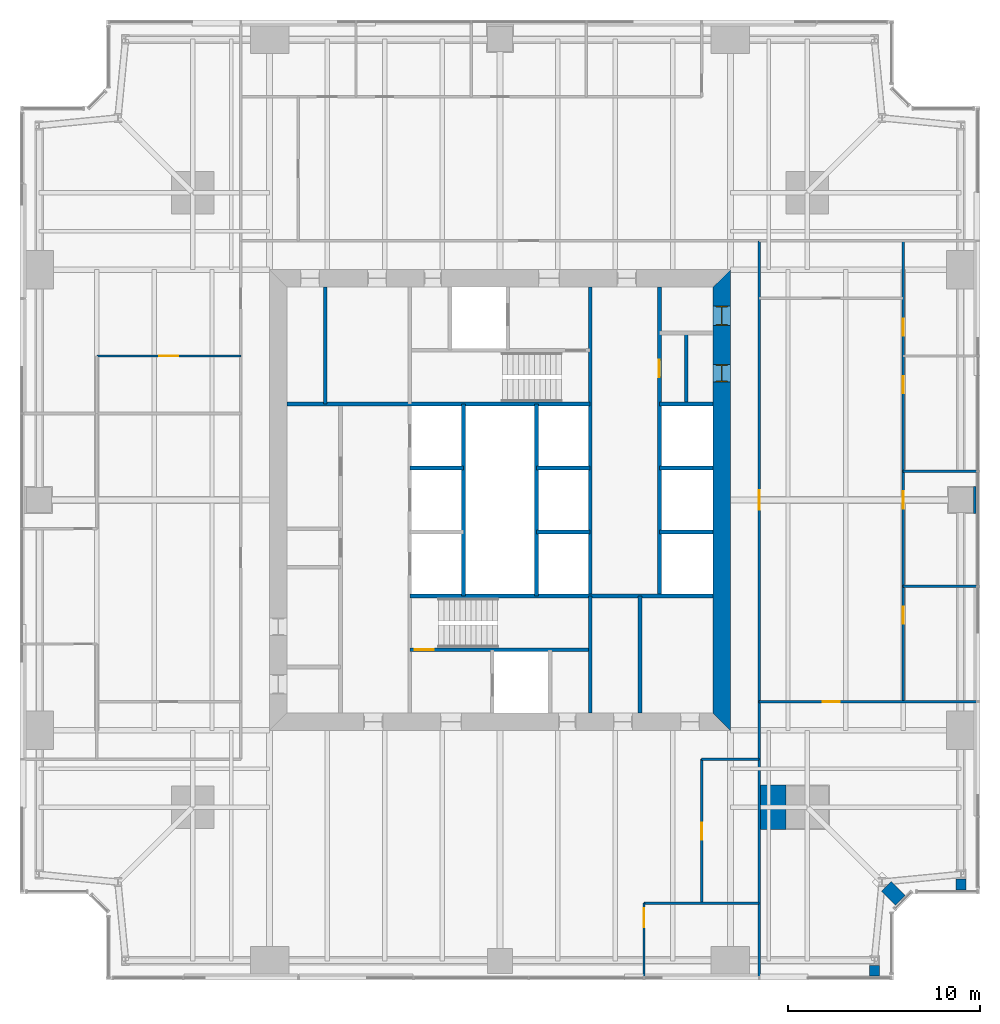
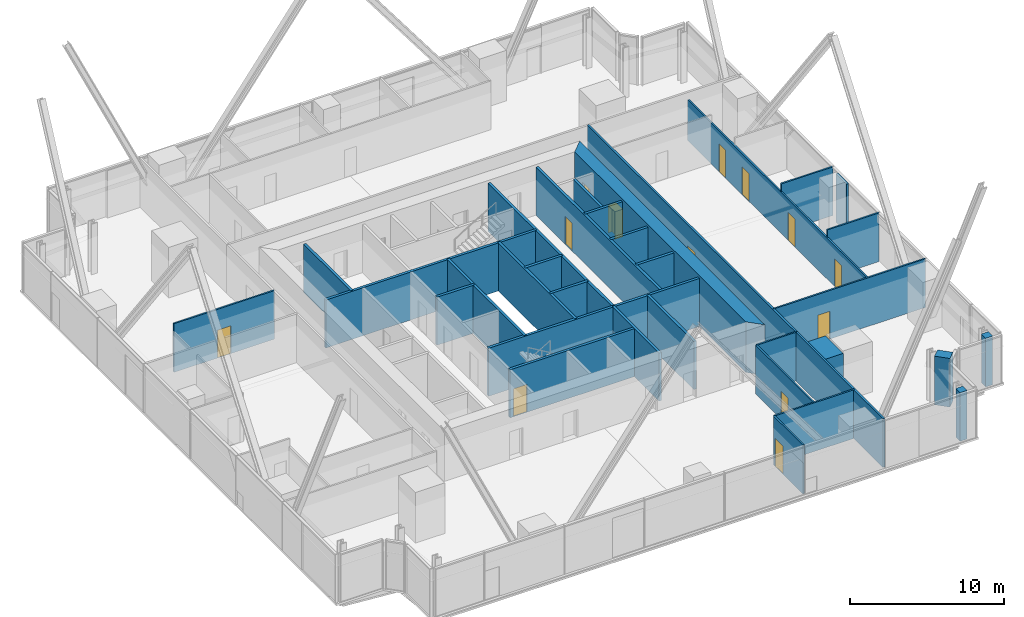
# One storey, part 10 of 14: 34 walls, 13 doors, 13 openings.
"""IFC4 building model written with IfcOpenShell, lengths in metres."""

from ifc_helpers import new_model, si_unit, direction, frame, frame_2d, origin, place, context, subcontext, project, spatial, polyline, rectangle, outline, extrude, material, layer, layer_set, type_object, element, fill, save


model = new_model("IFC4")

# Units and contexts
model_context = context("Model", 3, precision=1e-05, world=origin(), true_north=direction((0.0, 1.0)))
body_context = subcontext(model_context, "Body", "Model", "MODEL_VIEW")
ifc_project = project(units=[si_unit("LENGTHUNIT", "METRE"), si_unit("AREAUNIT", "SQUARE_METRE"), si_unit("VOLUMEUNIT", "CUBIC_METRE"), si_unit("PLANEANGLEUNIT", "RADIAN"), si_unit("MASSUNIT", "GRAM", prefix="KILO")], contexts=[model_context])

# Site, building, storey
site_placement = place(None, origin())
site = spatial("IfcSite", under=ifc_project, at=site_placement, CompositionType="ELEMENT")
building_placement = place(site_placement, origin())
building = spatial("IfcBuilding", under=site, at=building_placement, Name="Fenwick Lantern Interchange", CompositionType="ELEMENT")
storey_placement = place(building_placement, frame((0.0, 0.0, 130.39990234375)))
storey = spatial("IfcBuildingStorey", under=building, at=storey_placement, Name="L30", CompositionType="ELEMENT", Elevation=130.39990234375)

# Walls
ifc_material_1 = material(Name="Fire-rated gypsum board encasement on steel studs, 2 hour", Category="steel")
ifc_layer_1 = layer(ifc_material_1, 1.39990234375)
ifc_layer_set_1 = layer_set([ifc_layer_1], Name="COLUMN PIER 1400")
wall_type_1 = type_object("IfcWallType", Name="COLUMN PIER 1400", PredefinedType="PARTITIONING", material=ifc_layer_set_1)
wall_1_placement = place(storey_placement, frame((49.800048828125, 25.0, 0.0), z_axis=(0.0, 0.0, 1.0), x_axis=(-1.0, 0.0, 0.0)))
element("IfcWall", 1, at=wall_1_placement, inside=storey, type_object=wall_type_1, Name="L30/W/PIER/CE3", PredefinedType="PARTITIONING", context=body_context, shape_type="SweptSolid", body=[
    extrude(rectangle(XDim=0.150146484375, YDim=1.39990234375, at=frame_2d((0.0751953125, 0.0))), origin(), (0.0, 0.0, 1.0), 3.85009765625),
])
ifc_layer_2 = layer(ifc_material_1, 2.300048828125)
ifc_layer_set_2 = layer_set([ifc_layer_2], Name="COLUMN PIER 2300")
wall_type_2 = type_object("IfcWallType", Name="COLUMN PIER 2300", PredefinedType="PARTITIONING", material=ifc_layer_set_2)
wall_2_placement = place(storey_placement, frame((38.574951171875, 9.0, 0.0), z_axis=(0.0, 0.0, 1.0), x_axis=(1.0, 0.0, 0.0)))
element("IfcWall", 2, at=wall_2_placement, inside=storey, type_object=wall_type_2, Name="L30/W/PIER/M2", PredefinedType="PARTITIONING", context=body_context, shape_type="SweptSolid", body=[
    extrude(rectangle(XDim=1.324951171875, YDim=2.300048828125, at=frame_2d((0.66259765625, 0.0))), origin(), (0.0, 0.0, 1.0), 3.85009765625),
])
ifc_layer_3 = layer(ifc_material_1, 0.52392578125)
ifc_layer_set_3 = layer_set([ifc_layer_3], Name="COLUMN PIER 524")
wall_type_3 = type_object("IfcWallType", Name="COLUMN PIER 524", PredefinedType="PARTITIONING", material=ifc_layer_set_3)
for number, where, z_axis, x_axis, name in (
    (3, (44.5, 0.199951171875, 0.0), (0.0, 0.0, 1.0), (0.0, 1.0, 0.0), "L30/W/PIER/CS5"),
    (4, (49.0, 4.699951171875, 0.0), (0.0, 0.0, 1.0), (0.0, 1.0, 0.0), "L30/W/PIER/CE1"),
):
    element("IfcWall", number, at=place(storey_placement, frame(where, z_axis=z_axis, x_axis=x_axis)), inside=storey, type_object=wall_type_3, Name=name, PredefinedType="PARTITIONING", context=body_context, shape_type="SweptSolid", body=[
        extrude(rectangle(XDim=0.5625, YDim=0.52392578125, at=frame_2d((0.28125, 0.0))), origin(), (0.0, 0.0, 1.0), 3.85009765625),
    ])
ifc_layer_4 = layer(ifc_material_1, 0.736083984375)
ifc_layer_set_4 = layer_set([ifc_layer_4], Name="COLUMN PIER 736")
wall_type_4 = type_object("IfcWallType", Name="COLUMN PIER 736", PredefinedType="PARTITIONING", material=ifc_layer_set_4)
wall_3_placement = place(storey_placement, frame((45.858642578125, 4.141357421875, 0.0), z_axis=(0.0, 0.0, 1.0), x_axis=(-0.707106781187, 0.707106781187, 0.0)))
element("IfcWall", 5, at=wall_3_placement, inside=storey, type_object=wall_type_4, Name="L30/W/PIER/CSR", PredefinedType="PARTITIONING", context=body_context, shape_type="SweptSolid", body=[
    extrude(rectangle(XDim=1.037841796875, YDim=0.736083984375, at=frame_2d((0.51904296875, 0.0))), origin(), (0.0, 0.0, 1.0), 3.85009765625),
])
ifc_material_2 = material(Name="Concrete masonry ASTM C90 Grade N", Category="masonry")
ifc_layer_5 = layer(ifc_material_2, 0.199951171875)
ifc_layer_set_5 = layer_set([ifc_layer_5], Name="Concrete masonry ASTM C90 Grade N")
wall_type_5 = type_object("IfcWallType", Name="CORE PARTITION 200", PredefinedType="PARTITIONING", material=ifc_layer_set_5)
wall_4_placement = place(storey_placement, frame((20.300048828125, 26.666748046875, 0.0), z_axis=(0.0, 0.0, 1.0), x_axis=(1.0, 0.0, 0.0)))
element("IfcWall", 6, at=wall_4_placement, inside=storey, type_object=wall_type_5, Name="L30/W/CORES/e2", PredefinedType="PARTITIONING", context=body_context, shape_type="SweptSolid", body=[
    extrude(rectangle(XDim=2.800048828125, YDim=0.199951171875, at=frame_2d((1.39990234375, 0.0))), origin(), (0.0, 0.0, 1.0), 3.800048828125),
])
wall_5_placement = place(storey_placement, frame((23.10009765625, 20.0, 0.0), z_axis=(0.0, 0.0, 1.0), x_axis=(0.0, 1.0, 0.0)))
element("IfcWall", 7, at=wall_5_placement, inside=storey, type_object=wall_type_5, Name="L30/W/CORES/e3", PredefinedType="PARTITIONING", context=body_context, shape_type="SweptSolid", body=[
    extrude(rectangle(XDim=10.0, YDim=0.199951171875, at=frame_2d((5.0, 0.0))), origin(), (0.0, 0.0, 1.0), 3.800048828125),
])
wall_6_placement = place(storey_placement, frame((32.300048828125, 13.89990234375, 0.0), z_axis=(0.0, 0.0, 1.0), x_axis=(0.0, 1.0, 0.0)))
element("IfcWall", 8, at=wall_6_placement, inside=storey, type_object=wall_type_5, Name="L30/W/CORES/i2", PredefinedType="PARTITIONING", context=body_context, shape_type="SweptSolid", body=[
    extrude(rectangle(XDim=6.10009765625, YDim=0.199951171875, at=frame_2d((3.050048828125, 0.0))), origin(), (0.0, 0.0, 1.0), 3.800048828125),
])

# Wall, opening, door
wall_7_placement = place(storey_placement, frame((33.300048828125, 36.10009765625, 0.0), z_axis=(0.0, 0.0, 1.0), x_axis=(0.0, -1.0, 0.0)))
wall_7 = element("IfcWall", 9, at=wall_7_placement, inside=storey, type_object=wall_type_5, Name="L30/W/COREN/a", PredefinedType="PARTITIONING", context=body_context, shape_type="SweptSolid", body=[
    extrude(rectangle(XDim=16.10009765625, YDim=0.199951171875, at=frame_2d((8.050048828125, 0.0))), origin(), (0.0, 0.0, 1.0), 3.800048828125),
])
opening_1_placement = place(wall_7_placement, frame((3.800048828125, 0.0, 0.0)))
opening_1 = element("IfcOpeningElement", 10, at=opening_1_placement, cuts=wall_7, Name="Opening L30-D018", PredefinedType="OPENING", context=body_context, shape_type="SweptSolid", body=[
    extrude(rectangle(XDim=0.89990234375, YDim=2.199951171875, at=frame_2d((0.449951171875, 1.10009765625))), frame((0.0, 0.10986328125, 0.0), z_axis=(0.0, -1.0, 0.0), x_axis=(1.0, 0.0, 0.0)), (0.0, 0.0, 1.0), 0.219970703125),
])
ifc_material_3 = material(Name="Steel door and frame", Category="steel")
door_type_1 = type_object("IfcDoorType", Name="SERVICE DOOR 900 X 2200", OperationType="SINGLE_SWING_LEFT", PredefinedType="DOOR", material=ifc_material_3)
door_1_placement = place(opening_1_placement, origin())
door_1 = element("IfcDoor", 11, at=door_1_placement, inside=storey, type_object=door_type_1, Name="Service door", OperationType="SINGLE_SWING_LEFT", OverallHeight=2.199951171875, OverallWidth=0.89990234375, PredefinedType="DOOR", context=body_context, shape_type="SweptSolid", body=[
    extrude(rectangle(XDim=0.89990234375, YDim=2.199951171875, at=frame_2d((0.449951171875, 1.10009765625))), frame((0.0, 0.02490234375, 0.0), z_axis=(0.0, -1.0, 0.0), x_axis=(1.0, 0.0, 0.0)), (0.0, 0.0, 1.0), 0.050048828125),
])
fill(opening_1, door_1)

# Walls
for number, where, z_axis, x_axis, name in (
    (12, (36.10009765625, 30.0, 0.0), (0.0, 0.0, 1.0), (-1.0, 0.0, 0.0), "L30/W/COREN/c2"),
    (13, (36.10009765625, 26.666748046875, 0.0), (0.0, 0.0, 1.0), (-1.0, 0.0, 0.0), "L30/W/COREN/d1"),
    (14, (36.10009765625, 23.333251953125, 0.0), (0.0, 0.0, 1.0), (-1.0, 0.0, 0.0), "L30/W/COREN/d2"),
    (15, (29.699951171875, 26.666748046875, 0.0), (0.0, 0.0, 1.0), (-1.0, 0.0, 0.0), "L30/W/COREN/e1"),
    (16, (29.699951171875, 23.333251953125, 0.0), (0.0, 0.0, 1.0), (-1.0, 0.0, 0.0), "L30/W/COREN/e2"),
):
    element("IfcWall", number, at=place(storey_placement, frame(where, z_axis=z_axis, x_axis=x_axis)), inside=storey, type_object=wall_type_5, Name=name, PredefinedType="PARTITIONING", context=body_context, shape_type="SweptSolid", body=[
        extrude(rectangle(XDim=2.800048828125, YDim=0.199951171875, at=frame_2d((1.39990234375, 0.0))), origin(), (0.0, 0.0, 1.0), 3.800048828125),
    ])
wall_8_placement = place(storey_placement, frame((26.89990234375, 30.0, 0.0), z_axis=(0.0, 0.0, 1.0), x_axis=(0.0, -1.0, 0.0)))
element("IfcWall", 17, at=wall_8_placement, inside=storey, type_object=wall_type_5, Name="L30/W/COREN/e3", PredefinedType="PARTITIONING", context=body_context, shape_type="SweptSolid", body=[
    extrude(rectangle(XDim=10.0, YDim=0.199951171875, at=frame_2d((5.0, 0.0))), origin(), (0.0, 0.0, 1.0), 3.800048828125),
])
wall_9_placement = place(storey_placement, frame((15.89990234375, 36.10009765625, 0.0), z_axis=(0.0, 0.0, 1.0), x_axis=(0.0, -1.0, 0.0)))
element("IfcWall", 18, at=wall_9_placement, inside=storey, type_object=wall_type_5, Name="L30/W/COREN/i2", PredefinedType="PARTITIONING", context=body_context, shape_type="SweptSolid", body=[
    extrude(rectangle(XDim=6.10009765625, YDim=0.199951171875, at=frame_2d((3.050048828125, 0.0))), origin(), (0.0, 0.0, 1.0), 3.800048828125),
])
wall_10_placement = place(storey_placement, frame((34.699951171875, 33.699951171875, 0.0), z_axis=(0.0, 0.0, 1.0), x_axis=(0.0, -1.0, 0.0)))
element("IfcWall", 19, at=wall_10_placement, inside=storey, type_object=wall_type_5, Name="L30/W/COREN/px", PredefinedType="PARTITIONING", context=body_context, shape_type="SweptSolid", body=[
    extrude(rectangle(XDim=3.699951171875, YDim=0.199951171875, at=frame_2d((1.85009765625, 0.0))), origin(), (0.0, 0.0, 1.0), 3.800048828125),
])

# Wall, openings, doors
ifc_material_4 = material(Name="Concrete f'c 70 MPa", Category="concrete")
ifc_layer_6 = layer(ifc_material_4, 0.89990234375)
ifc_layer_set_6 = layer_set([ifc_layer_6], Name="CORE WALL 900")
wall_type_6 = type_object("IfcWallType", Name="CORE WALL 900", PredefinedType="SHEAR", material=ifc_layer_set_6)
wall_11_placement = place(storey_placement, frame((36.550048828125, 13.89990234375, 0.0), z_axis=(0.0, 0.0, 1.0), x_axis=(0.0, 1.0, 0.0)))
wall_11 = element("IfcWall", 20, at=wall_11_placement, inside=storey, type_object=wall_type_6, Name="L30/CORE/E", PredefinedType="SHEAR", context=body_context, shape_type="SweptSolid", body=[
    extrude(outline(polyline([(-0.89990234375, -0.449951171875), (23.10009765625, -0.449951171875), (22.199951171875, 0.449951171875), (0.0, 0.449951171875), (-0.89990234375, -0.449951171875)])), origin(), (0.0, 0.0, 1.0), 4.0),
])
opening_2_placement = place(wall_11_placement, frame((20.199951171875, 0.0, 0.0)))
opening_2 = element("IfcOpeningElement", 21, at=opening_2_placement, cuts=wall_11, Name="Opening L30-D017", PredefinedType="OPENING", context=body_context, shape_type="SweptSolid", body=[
    extrude(rectangle(XDim=1.0, YDim=2.199951171875, at=frame_2d((0.5, 1.10009765625))), frame((0.0, 0.4599609375, 0.0), z_axis=(0.0, -1.0, 0.0), x_axis=(1.0, 0.0, 0.0)), (0.0, 0.0, 1.0), 0.919921875),
])
opening_3_placement = place(wall_11_placement, frame((17.25, 0.0, 0.0)))
opening_3 = element("IfcOpeningElement", 22, at=opening_3_placement, cuts=wall_11, Name="Opening L30-D019", PredefinedType="OPENING", context=body_context, shape_type="SweptSolid", body=[
    extrude(rectangle(XDim=0.89990234375, YDim=2.199951171875, at=frame_2d((0.449951171875, 1.10009765625))), frame((0.0, 0.4599609375, 0.0), z_axis=(0.0, -1.0, 0.0), x_axis=(1.0, 0.0, 0.0)), (0.0, 0.0, 1.0), 0.919921875),
])
door_type_2 = type_object("IfcDoorType", Name="SERVICE DOOR 1000 X 2200", OperationType="SINGLE_SWING_LEFT", PredefinedType="DOOR", material=ifc_material_3)
door_2_placement = place(opening_2_placement, origin())
door_2 = element("IfcDoor", 23, at=door_2_placement, inside=storey, type_object=door_type_2, Name="Service door", OperationType="SINGLE_SWING_LEFT", OverallHeight=2.199951171875, OverallWidth=1.0, PredefinedType="DOOR", context=body_context, shape_type="SweptSolid", body=[
    extrude(rectangle(XDim=1.0, YDim=2.199951171875, at=frame_2d((0.5, 1.10009765625))), frame((0.0, 0.02490234375, 0.0), z_axis=(0.0, -1.0, 0.0), x_axis=(1.0, 0.0, 0.0)), (0.0, 0.0, 1.0), 0.050048828125),
    extrude(outline(polyline([(0.0, 0.0), (0.0400390625, 0.0), (0.0400390625, 2.159912109375), (0.9599609375, 2.159912109375), (0.9599609375, 0.0), (1.0, 0.0), (1.0, 2.199951171875), (0.0, 2.199951171875), (0.0, 0.0)])), frame((0.0, 0.300048828125, 0.0), z_axis=(0.0, -1.0, 0.0), x_axis=(1.0, 0.0, 0.0)), (0.0, 0.0, 1.0), 0.60009765625),
])
fill(opening_2, door_2)
door_3_placement = place(opening_3_placement, origin())
door_3 = element("IfcDoor", 24, at=door_3_placement, inside=storey, type_object=door_type_1, Name="Service door", OperationType="SINGLE_SWING_LEFT", OverallHeight=2.199951171875, OverallWidth=0.89990234375, PredefinedType="DOOR", context=body_context, shape_type="SweptSolid", body=[
    extrude(rectangle(XDim=0.89990234375, YDim=2.199951171875, at=frame_2d((0.449951171875, 1.10009765625))), frame((0.0, 0.02490234375, 0.0), z_axis=(0.0, -1.0, 0.0), x_axis=(1.0, 0.0, 0.0)), (0.0, 0.0, 1.0), 0.050048828125),
    extrude(outline(polyline([(0.0, 0.0), (0.0400390625, 0.0), (0.0400390625, 2.159912109375), (0.85986328125, 2.159912109375), (0.85986328125, 0.0), (0.89990234375, 0.0), (0.89990234375, 2.199951171875), (0.0, 2.199951171875), (0.0, 0.0)])), frame((0.0, 0.300048828125, 0.0), z_axis=(0.0, -1.0, 0.0), x_axis=(1.0, 0.0, 0.0)), (0.0, 0.0, 1.0), 0.60009765625),
])
fill(opening_3, door_3)

# Wall, opening, door
ifc_material_5 = material(Name="Gypsum board on steel studs, 1 hour", Category="steel")
ifc_layer_7 = layer(ifc_material_5, 0.14990234375)
ifc_layer_set_7 = layer_set([ifc_layer_7], Name="CORRIDOR WALL 150")
wall_type_7 = type_object("IfcWallType", Name="CORRIDOR WALL 150", PredefinedType="PARTITIONING", material=ifc_layer_set_7)
wall_12_placement = place(storey_placement, frame((38.5, 11.5, 0.0), z_axis=(0.0, 0.0, 1.0), x_axis=(0.0, 1.0, 0.0)))
wall_12 = element("IfcWall", 25, at=wall_12_placement, inside=storey, type_object=wall_type_7, Name="L30/W/OFF/E/CW", PredefinedType="PARTITIONING", context=body_context, shape_type="SweptSolid", body=[
    extrude(rectangle(XDim=27.0, YDim=0.14990234375, at=frame_2d((13.5, 0.0))), origin(), (0.0, 0.0, 1.0), 3.85009765625),
])
opening_4_placement = place(wall_12_placement, frame((13.0, 0.0, 0.0)))
opening_4 = element("IfcOpeningElement", 26, at=opening_4_placement, cuts=wall_12, Name="Opening L30-D022", PredefinedType="OPENING", context=body_context, shape_type="SweptSolid", body=[
    extrude(rectangle(XDim=1.0, YDim=2.199951171875, at=frame_2d((0.5, 1.10009765625))), frame((0.0, 0.0849609375, 0.0), z_axis=(0.0, -1.0, 0.0), x_axis=(1.0, 0.0, 0.0)), (0.0, 0.0, 1.0), 0.169921875),
])
door_type_3 = type_object("IfcDoorType", Name="SUITE ENTRANCE DOOR 1000 X 2200", OperationType="SINGLE_SWING_LEFT", PredefinedType="DOOR", material=ifc_material_3)
door_4_placement = place(opening_4_placement, frame((1.0, 0.0, 0.0), z_axis=(0.0, 0.0, 1.0), x_axis=(-1.0, 0.0, 0.0)))
door_4 = element("IfcDoor", 27, at=door_4_placement, inside=storey, type_object=door_type_3, Name="Suite entrance door", OperationType="SINGLE_SWING_RIGHT", OverallHeight=2.199951171875, OverallWidth=1.0, PredefinedType="DOOR", context=body_context, shape_type="SweptSolid", body=[
    extrude(rectangle(XDim=1.0, YDim=2.199951171875, at=frame_2d((0.5, 1.10009765625))), frame((0.0, 0.02490234375, 0.0), z_axis=(0.0, -1.0, 0.0), x_axis=(1.0, 0.0, 0.0)), (0.0, 0.0, 1.0), 0.050048828125),
])
fill(opening_4, door_4)

ifc_material_6 = material(Name="Gypsum board on steel studs, acoustic", Category="steel")
ifc_layer_8 = layer(ifc_material_6, 0.125)
ifc_layer_set_8 = layer_set([ifc_layer_8], Name="OFFICE PARTITION 125")
wall_type_8 = type_object("IfcWallType", Name="OFFICE PARTITION 125", PredefinedType="PARTITIONING", material=ifc_layer_set_8)
wall_13_placement = place(storey_placement, frame((32.5, 0.14990234375, 0.0), z_axis=(0.0, 0.0, 1.0), x_axis=(0.0, 1.0, 0.0)))
wall_13 = element("IfcWall", 28, at=wall_13_placement, inside=storey, type_object=wall_type_8, Name="L30/W/OFF/S/X325-1", PredefinedType="PARTITIONING", context=body_context, shape_type="SweptSolid", body=[
    extrude(rectangle(XDim=3.85009765625, YDim=0.125, at=frame_2d((1.925048828125, 0.0))), origin(), (0.0, 0.0, 1.0), 3.85009765625),
])
opening_5_placement = place(wall_13_placement, frame((2.60009765625, 0.0, 0.0)))
opening_5 = element("IfcOpeningElement", 29, at=opening_5_placement, cuts=wall_13, Name="Opening L30-D020", PredefinedType="OPENING", context=body_context, shape_type="SweptSolid", body=[
    extrude(rectangle(XDim=1.0, YDim=2.199951171875, at=frame_2d((0.5, 1.10009765625))), frame((0.0, 0.072509765625, 0.0), z_axis=(0.0, -1.0, 0.0), x_axis=(1.0, 0.0, 0.0)), (0.0, 0.0, 1.0), 0.14501953125),
])
ifc_material_7 = material(Name="Hardwood door and steel frame", Category="steel")
door_type_4 = type_object("IfcDoorType", Name="MEETING ROOM DOOR 1000 X 2200", OperationType="SINGLE_SWING_LEFT", PredefinedType="DOOR", material=ifc_material_7)
door_5_placement = place(opening_5_placement, frame((1.0, 0.0, 0.0), z_axis=(0.0, 0.0, 1.0), x_axis=(-1.0, 0.0, 0.0)))
door_5 = element("IfcDoor", 30, at=door_5_placement, inside=storey, type_object=door_type_4, Name="Meeting room door", OperationType="SINGLE_SWING_LEFT", OverallHeight=2.199951171875, OverallWidth=1.0, PredefinedType="DOOR", context=body_context, shape_type="SweptSolid", body=[
    extrude(rectangle(XDim=1.0, YDim=2.199951171875, at=frame_2d((0.5, 1.10009765625))), frame((0.0, 0.02490234375, 0.0), z_axis=(0.0, -1.0, 0.0), x_axis=(1.0, 0.0, 0.0)), (0.0, 0.0, 1.0), 0.050048828125),
])
fill(opening_5, door_5)

wall_14_placement = place(storey_placement, frame((35.5, 4.0, 0.0), z_axis=(0.0, 0.0, 1.0), x_axis=(0.0, 1.0, 0.0)))
wall_14 = element("IfcWall", 31, at=wall_14_placement, inside=storey, type_object=wall_type_8, Name="L30/W/OFF/S/X355-1", PredefinedType="PARTITIONING", context=body_context, shape_type="SweptSolid", body=[
    extrude(rectangle(XDim=7.5, YDim=0.125, at=frame_2d((3.75, 0.0))), origin(), (0.0, 0.0, 1.0), 3.85009765625),
])
opening_6_placement = place(wall_14_placement, frame((3.300048828125, 0.0, 0.0)))
opening_6 = element("IfcOpeningElement", 32, at=opening_6_placement, cuts=wall_14, Name="Opening L30-D021", PredefinedType="OPENING", context=body_context, shape_type="SweptSolid", body=[
    extrude(rectangle(XDim=0.89990234375, YDim=2.199951171875, at=frame_2d((0.449951171875, 1.10009765625))), frame((0.0, 0.072509765625, 0.0), z_axis=(0.0, -1.0, 0.0), x_axis=(1.0, 0.0, 0.0)), (0.0, 0.0, 1.0), 0.14501953125),
])
door_type_5 = type_object("IfcDoorType", Name="OFFICE DOOR 900 X 2200", OperationType="SINGLE_SWING_LEFT", PredefinedType="DOOR", material=ifc_material_7)
door_6_placement = place(opening_6_placement, frame((0.89990234375, 0.0, 0.0), z_axis=(0.0, 0.0, 1.0), x_axis=(-1.0, 0.0, 0.0)))
door_6 = element("IfcDoor", 33, at=door_6_placement, inside=storey, type_object=door_type_5, Name="Office door", OperationType="SINGLE_SWING_RIGHT", OverallHeight=2.199951171875, OverallWidth=0.89990234375, PredefinedType="DOOR", context=body_context, shape_type="SweptSolid", body=[
    extrude(rectangle(XDim=0.89990234375, YDim=2.199951171875, at=frame_2d((0.449951171875, 1.10009765625))), frame((0.0, 0.02490234375, 0.0), z_axis=(0.0, -1.0, 0.0), x_axis=(1.0, 0.0, 0.0)), (0.0, 0.0, 1.0), 0.050048828125),
])
fill(opening_6, door_6)

# Walls
wall_15_placement = place(storey_placement, frame((32.5, 4.0, 0.0), z_axis=(0.0, 0.0, 1.0), x_axis=(1.0, 0.0, 0.0)))
element("IfcWall", 34, at=wall_15_placement, inside=storey, type_object=wall_type_8, Name="L30/W/OFF/S/Y40-1", PredefinedType="PARTITIONING", context=body_context, shape_type="SweptSolid", body=[
    extrude(rectangle(XDim=6.0, YDim=0.125, at=frame_2d((3.0, 0.0))), origin(), (0.0, 0.0, 1.0), 3.85009765625),
])
wall_16_placement = place(storey_placement, frame((35.5, 11.5, 0.0), z_axis=(0.0, 0.0, 1.0), x_axis=(1.0, 0.0, 0.0)))
element("IfcWall", 35, at=wall_16_placement, inside=storey, type_object=wall_type_8, Name="L30/W/OFF/S/CWS1", PredefinedType="PARTITIONING", context=body_context, shape_type="SweptSolid", body=[
    extrude(rectangle(XDim=3.0, YDim=0.125, at=frame_2d((1.5, 0.0))), origin(), (0.0, 0.0, 1.0), 3.85009765625),
])

# Wall, opening, door
wall_17_placement = place(storey_placement, frame((49.85009765625, 14.5, 0.0), z_axis=(0.0, 0.0, 1.0), x_axis=(-1.0, 0.0, 0.0)))
wall_17 = element("IfcWall", 36, at=wall_17_placement, inside=storey, type_object=wall_type_8, Name="L30/W/OFF/E/X145-1", PredefinedType="PARTITIONING", context=body_context, shape_type="SweptSolid", body=[
    extrude(rectangle(XDim=11.35009765625, YDim=0.125, at=frame_2d((5.675048828125, 0.0))), origin(), (0.0, 0.0, 1.0), 3.85009765625),
])
opening_7_placement = place(wall_17_placement, frame((7.14990234375, 0.0, 0.0)))
opening_7 = element("IfcOpeningElement", 37, at=opening_7_placement, cuts=wall_17, Name="Opening L30-D023", PredefinedType="OPENING", context=body_context, shape_type="SweptSolid", body=[
    extrude(rectangle(XDim=0.89990234375, YDim=2.199951171875, at=frame_2d((0.449951171875, 1.10009765625))), frame((0.0, 0.072509765625, 0.0), z_axis=(0.0, -1.0, 0.0), x_axis=(1.0, 0.0, 0.0)), (0.0, 0.0, 1.0), 0.14501953125),
])
door_7_placement = place(opening_7_placement, origin())
door_7 = element("IfcDoor", 38, at=door_7_placement, inside=storey, type_object=door_type_5, Name="Office door", OperationType="SINGLE_SWING_RIGHT", OverallHeight=2.199951171875, OverallWidth=0.89990234375, PredefinedType="DOOR", context=body_context, shape_type="SweptSolid", body=[
    extrude(rectangle(XDim=0.89990234375, YDim=2.199951171875, at=frame_2d((0.449951171875, 1.10009765625))), frame((0.0, 0.02490234375, 0.0), z_axis=(0.0, -1.0, 0.0), x_axis=(1.0, 0.0, 0.0)), (0.0, 0.0, 1.0), 0.050048828125),
])
fill(opening_7, door_7)

# Walls
for number, where, z_axis, x_axis, name in (
    (39, (49.85009765625, 20.5, 0.0), (0.0, 0.0, 1.0), (-1.0, 0.0, 0.0), "L30/W/OFF/E/X205-1"),
    (40, (49.85009765625, 26.5, 0.0), (0.0, 0.0, 1.0), (-1.0, 0.0, 0.0), "L30/W/OFF/E/X265-1"),
):
    element("IfcWall", number, at=place(storey_placement, frame(where, z_axis=z_axis, x_axis=x_axis)), inside=storey, type_object=wall_type_8, Name=name, PredefinedType="PARTITIONING", context=body_context, shape_type="SweptSolid", body=[
        extrude(rectangle(XDim=3.85009765625, YDim=0.125, at=frame_2d((1.925048828125, 0.0))), origin(), (0.0, 0.0, 1.0), 3.85009765625),
    ])

# Wall, openings, doors
wall_18_placement = place(storey_placement, frame((46.0, 14.5, 0.0), z_axis=(0.0, 0.0, 1.0), x_axis=(0.0, 1.0, 0.0)))
wall_18 = element("IfcWall", 41, at=wall_18_placement, inside=storey, type_object=wall_type_8, Name="L30/W/OFF/E/Y40-1", PredefinedType="PARTITIONING", context=body_context, shape_type="SweptSolid", body=[
    extrude(rectangle(XDim=24.0, YDim=0.125, at=frame_2d((12.0, 0.0))), origin(), (0.0, 0.0, 1.0), 3.238037109375),
])
opening_8_placement = place(wall_18_placement, frame((4.050048828125, 0.0, 0.0)))
opening_8 = element("IfcOpeningElement", 42, at=opening_8_placement, cuts=wall_18, Name="Opening L30-D024", PredefinedType="OPENING", context=body_context, shape_type="SweptSolid", body=[
    extrude(rectangle(XDim=0.89990234375, YDim=2.199951171875, at=frame_2d((0.449951171875, 1.10009765625))), frame((0.0, 0.072509765625, 0.0), z_axis=(0.0, -1.0, 0.0), x_axis=(1.0, 0.0, 0.0)), (0.0, 0.0, 1.0), 0.14501953125),
])
opening_9_placement = place(wall_18_placement, frame((10.050048828125, 0.0, 0.0)))
opening_9 = element("IfcOpeningElement", 43, at=opening_9_placement, cuts=wall_18, Name="Opening L30-D025", PredefinedType="OPENING", context=body_context, shape_type="SweptSolid", body=[
    extrude(rectangle(XDim=0.89990234375, YDim=2.199951171875, at=frame_2d((0.449951171875, 1.10009765625))), frame((0.0, 0.072509765625, 0.0), z_axis=(0.0, -1.0, 0.0), x_axis=(1.0, 0.0, 0.0)), (0.0, 0.0, 1.0), 0.14501953125),
])
opening_10_placement = place(wall_18_placement, frame((16.050048828125, 0.0, 0.0)))
opening_10 = element("IfcOpeningElement", 44, at=opening_10_placement, cuts=wall_18, Name="Opening L30-D026", PredefinedType="OPENING", context=body_context, shape_type="SweptSolid", body=[
    extrude(rectangle(XDim=0.89990234375, YDim=2.199951171875, at=frame_2d((0.449951171875, 1.10009765625))), frame((0.0, 0.072509765625, 0.0), z_axis=(0.0, -1.0, 0.0), x_axis=(1.0, 0.0, 0.0)), (0.0, 0.0, 1.0), 0.14501953125),
])
opening_11_placement = place(wall_18_placement, frame((19.050048828125, 0.0, 0.0)))
opening_11 = element("IfcOpeningElement", 45, at=opening_11_placement, cuts=wall_18, Name="Opening L30-D027", PredefinedType="OPENING", context=body_context, shape_type="SweptSolid", body=[
    extrude(rectangle(XDim=0.89990234375, YDim=2.199951171875, at=frame_2d((0.449951171875, 1.10009765625))), frame((0.0, 0.072509765625, 0.0), z_axis=(0.0, -1.0, 0.0), x_axis=(1.0, 0.0, 0.0)), (0.0, 0.0, 1.0), 0.14501953125),
])
door_8_placement = place(opening_8_placement, frame((0.89990234375, 0.0, 0.0), z_axis=(0.0, 0.0, 1.0), x_axis=(-1.0, 0.0, 0.0)))
door_8 = element("IfcDoor", 46, at=door_8_placement, inside=storey, type_object=door_type_5, Name="Office door", OperationType="SINGLE_SWING_LEFT", OverallHeight=2.199951171875, OverallWidth=0.89990234375, PredefinedType="DOOR", context=body_context, shape_type="SweptSolid", body=[
    extrude(rectangle(XDim=0.89990234375, YDim=2.199951171875, at=frame_2d((0.449951171875, 1.10009765625))), frame((0.0, 0.02490234375, 0.0), z_axis=(0.0, -1.0, 0.0), x_axis=(1.0, 0.0, 0.0)), (0.0, 0.0, 1.0), 0.050048828125),
])
fill(opening_8, door_8)
door_9_placement = place(opening_9_placement, frame((0.89990234375, 0.0, 0.0), z_axis=(0.0, 0.0, 1.0), x_axis=(-1.0, 0.0, 0.0)))
door_9 = element("IfcDoor", 47, at=door_9_placement, inside=storey, type_object=door_type_5, Name="Office door", OperationType="SINGLE_SWING_LEFT", OverallHeight=2.199951171875, OverallWidth=0.89990234375, PredefinedType="DOOR", context=body_context, shape_type="SweptSolid", body=[
    extrude(rectangle(XDim=0.89990234375, YDim=2.199951171875, at=frame_2d((0.449951171875, 1.10009765625))), frame((0.0, 0.02490234375, 0.0), z_axis=(0.0, -1.0, 0.0), x_axis=(1.0, 0.0, 0.0)), (0.0, 0.0, 1.0), 0.050048828125),
])
fill(opening_9, door_9)
door_10_placement = place(opening_10_placement, frame((0.89990234375, 0.0, 0.0), z_axis=(0.0, 0.0, 1.0), x_axis=(-1.0, 0.0, 0.0)))
door_10 = element("IfcDoor", 48, at=door_10_placement, inside=storey, type_object=door_type_5, Name="Office door", OperationType="SINGLE_SWING_LEFT", OverallHeight=2.199951171875, OverallWidth=0.89990234375, PredefinedType="DOOR", context=body_context, shape_type="SweptSolid", body=[
    extrude(rectangle(XDim=0.89990234375, YDim=2.199951171875, at=frame_2d((0.449951171875, 1.10009765625))), frame((0.0, 0.02490234375, 0.0), z_axis=(0.0, -1.0, 0.0), x_axis=(1.0, 0.0, 0.0)), (0.0, 0.0, 1.0), 0.050048828125),
])
fill(opening_10, door_10)
door_11_placement = place(opening_11_placement, frame((0.89990234375, 0.0, 0.0), z_axis=(0.0, 0.0, 1.0), x_axis=(-1.0, 0.0, 0.0)))
door_11 = element("IfcDoor", 49, at=door_11_placement, inside=storey, type_object=door_type_5, Name="Office door", OperationType="SINGLE_SWING_RIGHT", OverallHeight=2.199951171875, OverallWidth=0.89990234375, PredefinedType="DOOR", context=body_context, shape_type="SweptSolid", body=[
    extrude(rectangle(XDim=0.89990234375, YDim=2.199951171875, at=frame_2d((0.449951171875, 1.10009765625))), frame((0.0, 0.02490234375, 0.0), z_axis=(0.0, -1.0, 0.0), x_axis=(1.0, 0.0, 0.0)), (0.0, 0.0, 1.0), 0.050048828125),
])
fill(opening_11, door_11)

# Wall, opening, door
wall_19_placement = place(storey_placement, frame((4.0, 32.5, 0.0), z_axis=(0.0, 0.0, 1.0), x_axis=(1.0, 0.0, 0.0)))
wall_19 = element("IfcWall", 50, at=wall_19_placement, inside=storey, type_object=wall_type_8, Name="L30/W/OFF/W/X175-1", PredefinedType="PARTITIONING", context=body_context, shape_type="SweptSolid", body=[
    extrude(rectangle(XDim=7.5, YDim=0.125, at=frame_2d((3.75, 0.0))), origin(), (0.0, 0.0, 1.0), 3.85009765625),
])
opening_12_placement = place(wall_19_placement, frame((3.25, 0.0, 0.0)))
opening_12 = element("IfcOpeningElement", 51, at=opening_12_placement, cuts=wall_19, Name="Opening L30-D036", PredefinedType="OPENING", context=body_context, shape_type="SweptSolid", body=[
    extrude(rectangle(XDim=1.0, YDim=2.199951171875, at=frame_2d((0.5, 1.10009765625))), frame((0.0, 0.072509765625, 0.0), z_axis=(0.0, -1.0, 0.0), x_axis=(1.0, 0.0, 0.0)), (0.0, 0.0, 1.0), 0.14501953125),
])
door_12_placement = place(opening_12_placement, frame((1.0, 0.0, 0.0), z_axis=(0.0, 0.0, 1.0), x_axis=(-1.0, 0.0, 0.0)))
door_12 = element("IfcDoor", 52, at=door_12_placement, inside=storey, type_object=door_type_4, Name="Meeting room door", OperationType="SINGLE_SWING_RIGHT", OverallHeight=2.199951171875, OverallWidth=1.0, PredefinedType="DOOR", context=body_context, shape_type="SweptSolid", body=[
    extrude(rectangle(XDim=1.0, YDim=2.199951171875, at=frame_2d((0.5, 1.10009765625))), frame((0.0, 0.02490234375, 0.0), z_axis=(0.0, -1.0, 0.0), x_axis=(1.0, 0.0, 0.0)), (0.0, 0.0, 1.0), 0.050048828125),
])
fill(opening_12, door_12)

ifc_material_8 = material(Name="Concrete f'c 45 MPa", Category="concrete")
ifc_layer_9 = layer(ifc_material_8, 0.199951171875)
ifc_layer_set_9 = layer_set([ifc_layer_9], Name="STAIR CORE WALL 200")
wall_type_9 = type_object("IfcWallType", Name="STAIR CORE WALL 200", PredefinedType="SOLIDWALL", material=ifc_layer_set_9)
wall_20_placement = place(storey_placement, frame((20.300048828125, 17.199951171875, 0.0), z_axis=(0.0, 0.0, 1.0), x_axis=(1.0, 0.0, 0.0)))
wall_20 = element("IfcWall", 53, at=wall_20_placement, inside=storey, type_object=wall_type_9, Name="L30/W/CORES/g1", PredefinedType="SOLIDWALL", context=body_context, shape_type="SweptSolid", body=[
    extrude(rectangle(XDim=9.39990234375, YDim=0.199951171875, at=frame_2d((4.699951171875, 0.0))), origin(), (0.0, 0.0, 1.0), 3.800048828125),
])
opening_13_placement = place(wall_20_placement, frame((0.25, 0.0, 0.0)))
opening_13 = element("IfcOpeningElement", 54, at=opening_13_placement, cuts=wall_20, Name="Opening L30-D003", PredefinedType="OPENING", context=body_context, shape_type="SweptSolid", body=[
    extrude(rectangle(XDim=1.0, YDim=2.199951171875, at=frame_2d((0.5, 1.10009765625))), frame((0.0, 0.10986328125, 0.0), z_axis=(0.0, -1.0, 0.0), x_axis=(1.0, 0.0, 0.0)), (0.0, 0.0, 1.0), 0.219970703125),
])
door_type_6 = type_object("IfcDoorType", Name="STAIR DOOR 1000 X 2200", OperationType="SINGLE_SWING_LEFT", PredefinedType="DOOR", material=ifc_material_3)
door_13_placement = place(opening_13_placement, origin())
door_13 = element("IfcDoor", 55, at=door_13_placement, inside=storey, type_object=door_type_6, Name="Stair door", OperationType="SINGLE_SWING_LEFT", OverallHeight=2.199951171875, OverallWidth=1.0, PredefinedType="DOOR", context=body_context, shape_type="SweptSolid", body=[
    extrude(rectangle(XDim=1.0, YDim=2.199951171875, at=frame_2d((0.5, 1.10009765625))), frame((0.0, 0.02490234375, 0.0), z_axis=(0.0, -1.0, 0.0), x_axis=(1.0, 0.0, 0.0)), (0.0, 0.0, 1.0), 0.050048828125),
])
fill(opening_13, door_13)

# Walls
wall_21_placement = place(storey_placement, frame((20.300048828125, 20.0, 0.0), z_axis=(0.0, 0.0, 1.0), x_axis=(1.0, 0.0, 0.0)))
element("IfcWall", 56, at=wall_21_placement, inside=storey, type_object=wall_type_9, Name="L30/W/CORES/g2", PredefinedType="SOLIDWALL", context=body_context, shape_type="SweptSolid", body=[
    extrude(rectangle(XDim=15.800048828125, YDim=0.199951171875, at=frame_2d((7.89990234375, 0.0))), origin(), (0.0, 0.0, 1.0), 3.800048828125),
])
wall_22_placement = place(storey_placement, frame((29.699951171875, 13.89990234375, 0.0), z_axis=(0.0, 0.0, 1.0), x_axis=(0.0, 1.0, 0.0)))
element("IfcWall", 57, at=wall_22_placement, inside=storey, type_object=wall_type_9, Name="L30/W/CORES/i1", PredefinedType="SOLIDWALL", context=body_context, shape_type="SweptSolid", body=[
    extrude(rectangle(XDim=6.10009765625, YDim=0.199951171875, at=frame_2d((3.050048828125, 0.0))), origin(), (0.0, 0.0, 1.0), 3.800048828125),
])
wall_23_placement = place(storey_placement, frame((29.699951171875, 36.10009765625, 0.0), z_axis=(0.0, 0.0, 1.0), x_axis=(0.0, -1.0, 0.0)))
element("IfcWall", 58, at=wall_23_placement, inside=storey, type_object=wall_type_9, Name="L30/W/COREN/b", PredefinedType="SOLIDWALL", context=body_context, shape_type="SweptSolid", body=[
    extrude(rectangle(XDim=16.10009765625, YDim=0.199951171875, at=frame_2d((8.050048828125, 0.0))), origin(), (0.0, 0.0, 1.0), 3.800048828125),
])
wall_24_placement = place(storey_placement, frame((29.699951171875, 30.0, 0.0), z_axis=(0.0, 0.0, 1.0), x_axis=(-1.0, 0.0, 0.0)))
element("IfcWall", 59, at=wall_24_placement, inside=storey, type_object=wall_type_9, Name="L30/W/COREN/g2", PredefinedType="SOLIDWALL", context=body_context, shape_type="SweptSolid", body=[
    extrude(rectangle(XDim=15.800048828125, YDim=0.199951171875, at=frame_2d((7.89990234375, 0.0))), origin(), (0.0, 0.0, 1.0), 3.800048828125),
])
ifc_material_9 = material(Name="Gypsum board on steel studs, 1 hour acoustic", Category="steel")
ifc_layer_10 = layer(ifc_material_9, 0.14990234375)
ifc_layer_set_10 = layer_set([ifc_layer_10], Name="TENANT WALL 150")
wall_type_10 = type_object("IfcWallType", Name="TENANT WALL 150", PredefinedType="PARTITIONING", material=ifc_layer_set_10)
wall_25_placement = place(storey_placement, frame((38.5, 0.14990234375, 0.0), z_axis=(0.0, 0.0, 1.0), x_axis=(0.0, 1.0, 0.0)))
element("IfcWall", 60, at=wall_25_placement, inside=storey, type_object=wall_type_10, Name="L30/W/OFF/E/BACK", PredefinedType="PARTITIONING", context=body_context, shape_type="SweptSolid", body=[
    extrude(rectangle(XDim=11.35009765625, YDim=0.14990234375, at=frame_2d((5.675048828125, 0.0))), origin(), (0.0, 0.0, 1.0), 3.85009765625),
])

save(model, "model.ifc")
